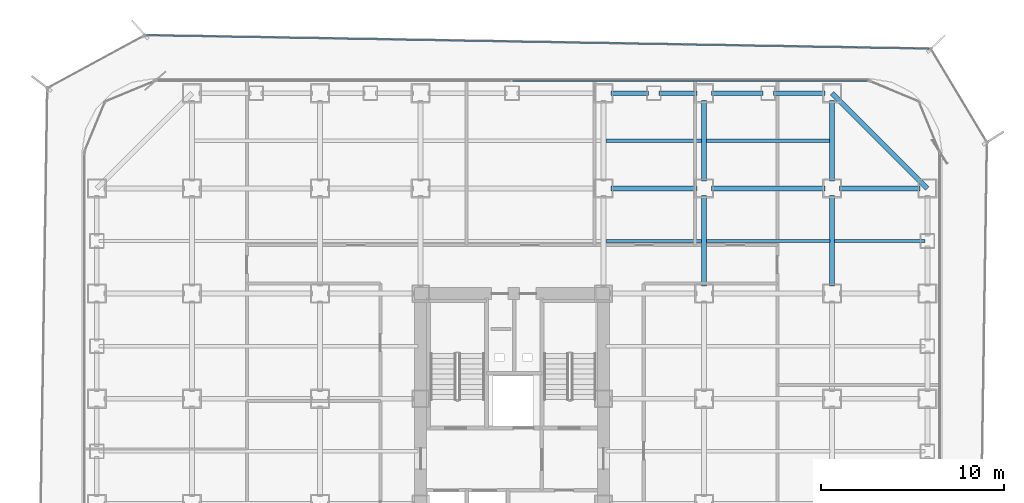
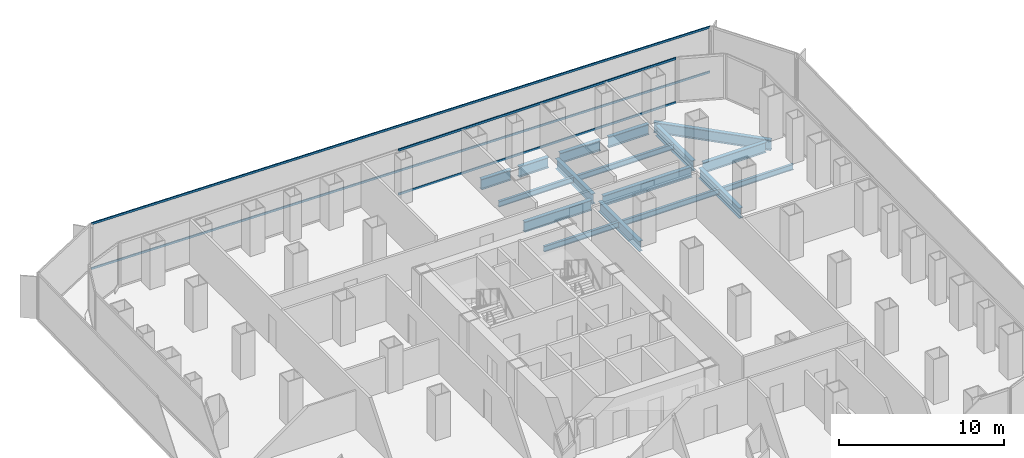
# One storey, part 14 of 22: 17 beams, 4 members, 2 elements without a shape of their own.
"""IFC4 building model written with IfcOpenShell, lengths in metres."""

import ifcopenshell
import ifcopenshell.guid

model = None  # the IFC model being written
_history = None  # IfcOwnerHistory: only IFC2X3 demands one
_inside = {}  # id of a spatial element -> (the spatial element, [elements in it])
_under = {}  # id of a project, library or spatial element -> (it, [spatial elements below it])
_declared = {}  # id of a project -> (the project, [libraries it declares])
_typed = {}  # id of a type object -> (the type object, [elements of that type])
_made_of = {}  # id of a material, layer set ... -> (it, [elements and type objects made of it])


def new_model(schema):
    """Start an empty IFC model of exactly this schema.

    Asked for "IFC4X3", IfcOpenShell would pick the latest addendum, in which some entities
    have other attributes; the version numbers below select the first issue.
    IFC2X3 requires an IfcOwnerHistory on every rooted entity: one is made here for all.
    """
    global model, _history
    if schema == "IFC4X3":
        model = ifcopenshell.file(schema_version=(4, 3, 0, 0))
    else:
        model = ifcopenshell.file(schema=schema)
    _inside.clear()
    _under.clear()
    _declared.clear()
    _typed.clear()
    _made_of.clear()
    _history = None
    if model.schema == "IFC2X3":
        org = make("IfcOrganization", Name="unknown")
        user = make(
            "IfcPersonAndOrganization",
            ThePerson=make("IfcPerson", FamilyName="unknown"),
            TheOrganization=org,
        )
        app = make(
            "IfcApplication",
            ApplicationDeveloper=org,
            Version="unknown",
            ApplicationFullName="unknown",
            ApplicationIdentifier="unknown",
        )
        _history = make(
            "IfcOwnerHistory",
            OwningUser=user,
            OwningApplication=app,
            ChangeAction="ADDED",
            CreationDate=0,
        )
    return model


def make(cls, **values):
    """One entity of the class cls with the attributes given. An attribute that is None is left unset."""
    return model.create_entity(
        cls, **{name: value for name, value in values.items() if value is not None}
    )


def rooted(cls, **values):
    """An entity with a GlobalId (a new one), such as an element, a storey or a relation."""
    return make(cls, GlobalId=ifcopenshell.guid.new(), OwnerHistory=_history, **values)


def si_unit(unit_type, name, prefix=None):
    """IfcSIUnit, for example si_unit("LENGTHUNIT", "METRE", prefix="MILLI")."""
    return make("IfcSIUnit", UnitType=unit_type, Prefix=prefix, Name=name)


def assignment(units):
    """IfcUnitAssignment: the units of a project."""
    return None if units is None else make("IfcUnitAssignment", Units=units)


def point(xyz):
    """IfcCartesianPoint."""
    return None if xyz is None else make("IfcCartesianPoint", Coordinates=xyz)


def direction(xyz):
    """IfcDirection."""
    return None if xyz is None else make("IfcDirection", DirectionRatios=xyz)


def frame(location, z_axis=None, x_axis=None):
    """IfcAxis2Placement3D, a coordinate frame: its origin and axes. An axis left out is left unset."""
    return make(
        "IfcAxis2Placement3D",
        Location=point(location),
        Axis=direction(z_axis),
        RefDirection=direction(x_axis),
    )


def frame_2d(location, x_axis=None):
    """IfcAxis2Placement2D, a coordinate frame in the plane: its origin and x axis."""
    return make(
        "IfcAxis2Placement2D", Location=point(location), RefDirection=direction(x_axis)
    )


def origin():
    """The frame at (0, 0, 0) with its axes left unset."""
    return frame((0.0, 0.0, 0.0))


def origin_2d():
    """The frame at (0, 0) in the plane with its x axis left unset."""
    return frame_2d((0.0, 0.0))


def place(relative_to, where):
    """IfcLocalPlacement: puts the frame where relative to a parent placement (None: the world)."""
    return make(
        "IfcLocalPlacement", PlacementRelTo=relative_to, RelativePlacement=where
    )


def context(
    kind, dimensions, precision=None, world=None, true_north=None, identifier=None
):
    """IfcGeometricRepresentationContext, for example the 3D "Model" context."""
    return make(
        "IfcGeometricRepresentationContext",
        ContextIdentifier=identifier,
        ContextType=kind,
        CoordinateSpaceDimension=dimensions,
        Precision=precision,
        WorldCoordinateSystem=world,
        TrueNorth=true_north,
    )


def subcontext(parent, identifier, kind, view, scale=None):
    """IfcGeometricRepresentationSubContext, for example "Body" below "Model"."""
    return make(
        "IfcGeometricRepresentationSubContext",
        ContextIdentifier=identifier,
        ContextType=kind,
        ParentContext=parent,
        TargetScale=scale,
        TargetView=view,
    )


def project(units=None, contexts=None):
    """IfcProject with its units and contexts."""
    return rooted(
        "IfcProject",
        Name="project",
        RepresentationContexts=contexts,
        UnitsInContext=assignment(units),
    )


def spatial(cls, under=None, at=None, **own):
    """A site, building, storey or space (cls), placed at a placement, below another one or the project."""
    s = rooted(cls, ObjectPlacement=at, **own)
    if under is not None:
        _under.setdefault(under.id(), (under, []))[1].append(s)
    return s


def profile(cls, at=None, kind="AREA", **sizes):
    """A parametric profile (cls). Its sizes go by their IFC names, for example OverallWidth=200.0."""
    return make(cls, ProfileType=kind, Position=at, **sizes)


def hollow_rectangle(**sizes):
    """IfcRectangleHollowProfileDef."""
    return profile("IfcRectangleHollowProfileDef", **sizes)


def i_section(**sizes):
    """IfcIShapeProfileDef."""
    return profile("IfcIShapeProfileDef", **sizes)


def extrude(swept, where, along, depth):
    """IfcExtrudedAreaSolid: the profile swept, set in the frame where, extruded along a direction by depth."""
    return make(
        "IfcExtrudedAreaSolid",
        SweptArea=swept,
        Position=where,
        ExtrudedDirection=direction(along),
        Depth=depth,
    )


def shape(context_of_items, identifier, shape_type, items):
    """IfcShapeRepresentation: the items that make up one representation, for example the "Body"."""
    return make(
        "IfcShapeRepresentation",
        ContextOfItems=context_of_items,
        RepresentationIdentifier=identifier,
        RepresentationType=shape_type,
        Items=items,
    )


def source(mapping_origin, context_of_items, identifier, shape_type, items):
    """IfcRepresentationMap: a shape defined once, which mapped items show again and again."""
    return make(
        "IfcRepresentationMap",
        MappingOrigin=mapping_origin,
        MappedRepresentation=shape(context_of_items, identifier, shape_type, items),
    )


def transform(
    local_origin,
    x_axis=None,
    y_axis=None,
    z_axis=None,
    scale=None,
    scale2=None,
    scale3=None,
    uniform=True,
):
    """IfcCartesianTransformationOperator3D, or its non-uniform kind. x_axis, y_axis, z_axis: its Axis1, 2, 3."""
    if uniform:
        return make(
            "IfcCartesianTransformationOperator3D",
            Axis1=direction(x_axis),
            Axis2=direction(y_axis),
            LocalOrigin=point(local_origin),
            Scale=scale,
            Axis3=direction(z_axis),
        )
    return make(
        "IfcCartesianTransformationOperator3DnonUniform",
        Axis1=direction(x_axis),
        Axis2=direction(y_axis),
        LocalOrigin=point(local_origin),
        Scale=scale,
        Axis3=direction(z_axis),
        Scale2=scale2,
        Scale3=scale3,
    )


def mapped(mapping_source, mapping_target):
    """IfcMappedItem: shows the shape of a source again, moved by a transform."""
    return make(
        "IfcMappedItem", MappingSource=mapping_source, MappingTarget=mapping_target
    )


def material(Name=None, Category=None):
    """IfcMaterial."""
    return make("IfcMaterial", Name=Name, Category=Category)


def layer(
    of_material, thickness, ventilated=None, Name=None, Category=None, Priority=None
):
    """IfcMaterialLayer: one layer of a wall or slab, of a material (None: an air gap)."""
    return make(
        "IfcMaterialLayer",
        Material=of_material,
        LayerThickness=thickness,
        IsVentilated=ventilated,
        Name=Name,
        Category=Category,
        Priority=Priority,
    )


def layer_set(layers, Name=None):
    """IfcMaterialLayerSet."""
    return make("IfcMaterialLayerSet", MaterialLayers=layers, LayerSetName=Name)


def material_profile(
    of_material, cross_section, Name=None, Category=None, Priority=None
):
    """IfcMaterialProfile: a cross section and its material."""
    return make(
        "IfcMaterialProfile",
        Name=Name,
        Material=of_material,
        Profile=cross_section,
        Priority=Priority,
        Category=Category,
    )


def profile_set(profiles, Name=None, composite=None):
    """IfcMaterialProfileSet."""
    return make(
        "IfcMaterialProfileSet",
        Name=Name,
        MaterialProfiles=profiles,
        CompositeProfile=composite,
    )


def made_of(thing, what):
    """Note that an element or type object is made of a material, layer set ...; save() writes the relation."""
    if what is not None:
        _made_of.setdefault(what.id(), (what, []))[1].append(thing)
    return thing


def type_object(cls, material=None, **own):
    """A type object (cls), such as IfcWallType, which elements share."""
    return made_of(rooted(cls, **own), material)


def element(
    cls,
    number,
    at=None,
    inside=None,
    cuts=None,
    type_object=None,
    material=None,
    context=None,
    identifier="Body",
    shape_type=None,
    held_by="IfcProductDefinitionShape",
    body=None,
    shapes=None,
    **own,
):
    """One element of the class cls, such as IfcWall. Its Tag is "e" and its number.

    at: its placement. inside: the storey or other place that contains it. cuts: it is an
    opening in that element (IfcRelVoidsElement). A single representation is given by context,
    identifier, shape_type and body (its items); several are given by shapes. held_by: the class
    of the entity that holds the representations. save() writes the other relations.
    """
    e = rooted(cls, Tag="e%d" % number, ObjectPlacement=at, **own)
    if body is not None:
        shapes = [shape(context, identifier, shape_type, body)]
    if shapes is not None:
        e.Representation = make(held_by, Representations=shapes)
    if inside is not None:
        _inside.setdefault(inside.id(), (inside, []))[1].append(e)
    if cuts is not None:
        rooted(
            "IfcRelVoidsElement", RelatingBuildingElement=cuts, RelatedOpeningElement=e
        )
    if type_object is not None:
        _typed.setdefault(type_object.id(), (type_object, []))[1].append(e)
    return made_of(e, material)


def aggregate(whole, parts):
    """IfcRelAggregates: a whole, such as a stair, and the parts it consists of."""
    return rooted("IfcRelAggregates", RelatingObject=whole, RelatedObjects=parts)


def save(model, path):
    """Write the relations noted so far, then the file.

    IfcRelAggregates (storeys below a building ...), IfcRelContainedInSpatialStructure (elements
    in a storey), IfcRelDefinesByType, IfcRelAssociatesMaterial and IfcRelDeclares: one each for
    every whole, place, type object, material and project.
    """
    for whole, parts in _under.values():
        aggregate(whole, parts)
    for where, things in _inside.values():
        rooted(
            "IfcRelContainedInSpatialStructure",
            RelatedElements=things,
            RelatingStructure=where,
        )
    for kind, things in _typed.values():
        rooted("IfcRelDefinesByType", RelatedObjects=things, RelatingType=kind)
    for what, things in _made_of.values():
        rooted("IfcRelAssociatesMaterial", RelatedObjects=things, RelatingMaterial=what)
    for by, libraries in _declared.values():
        rooted("IfcRelDeclares", RelatingContext=by, RelatedDefinitions=libraries)
    model.write(path)


model = new_model("IFC4")

# Units and contexts
model_context = context("Model", 3, precision=1e-05, world=origin(), true_north=direction((0.0, 1.0)))
body_context = subcontext(model_context, "Body", "Model", "MODEL_VIEW")
ifc_project = project(units=[si_unit("LENGTHUNIT", "METRE"), si_unit("AREAUNIT", "SQUARE_METRE"), si_unit("VOLUMEUNIT", "CUBIC_METRE"), si_unit("PLANEANGLEUNIT", "RADIAN"), si_unit("MASSUNIT", "GRAM", prefix="KILO")], contexts=[model_context])

# Site, building, storey
site_placement = place(None, origin())
site = spatial("IfcSite", under=ifc_project, at=site_placement, CompositionType="ELEMENT")
building_placement = place(site_placement, origin())
building = spatial("IfcBuilding", under=site, at=building_placement, Name="Kolveth Station Tower", CompositionType="ELEMENT")
storey_placement = place(building_placement, frame((0.0, 0.0, 54.89990234375)))
storey = spatial("IfcBuildingStorey", under=building, at=storey_placement, Name="L14", CompositionType="ELEMENT", Elevation=54.89990234375)

# Beams
ifc_material_1 = material(Name="Steel S355", Category="steel")
ifc_material_profile_1 = material_profile(ifc_material_1, i_section(OverallWidth=0.26904296875, OverallDepth=0.77490234375, WebThickness=0.01708984375, FlangeThickness=0.0283203125, at=origin_2d()), Name="W760x220")
ifc_profile_set_1 = profile_set([ifc_material_profile_1], Name="Steel S355")
beam_type_1 = type_object("IfcBeamType", Name="Beam_SP1", PredefinedType="SPANDREL", material=ifc_profile_set_1)
shared_shape_1 = source(origin(), body_context, "Body", "SweptSolid", [
    extrude(i_section(OverallWidth=0.26904296875, OverallDepth=0.77490234375, WebThickness=0.01708984375, FlangeThickness=0.0283203125, at=origin_2d()), origin(), (0.0, 0.0, 1.0), 7.353759765625),
])
beam_1_placement = place(storey_placement, frame((46.199951171875, 34.5, -0.66748046875), z_axis=(-0.707106781187, 0.707106781187, 0.0), x_axis=(-0.707106781187, -0.707106781187, 0.0)))
element("IfcBeam", 1, at=beam_1_placement, inside=storey, type_object=beam_type_1, Name="L14 Corner Edge Girder BM-L14-CNR-NE", PredefinedType="SPANDREL", context=body_context, shape_type="MappedRepresentation", body=[
    mapped(shared_shape_1, transform((0.0, 0.0, 0.0), x_axis=(1.0, 0.0, 0.0), y_axis=(0.0, 1.0, 0.0), z_axis=(0.0, 0.0, 1.0), scale=1.0)),
])
shared_shape_2 = source(origin(), body_context, "Body", "SweptSolid", [
    extrude(i_section(OverallWidth=0.26904296875, OverallDepth=0.77490234375, WebThickness=0.01708984375, FlangeThickness=0.0283203125, at=origin_2d()), origin(), (0.0, 0.0, 1.0), 2.820068359375),
])
for number, where, z_axis, x_axis, name in (
    (2, (34.39990234375, 39.699951171875, -0.66748046875), (1.0, 0.0, 0.0), (0.0, 1.0, 0.0), "L14 Perimeter Spandrel BM-L14-PN-9"),
    (3, (37.780029296875, 39.699951171875, -0.66748046875), (1.0, 0.0, 0.0), (0.0, 1.0, 0.0), "L14 Perimeter Spandrel BM-L14-PN-10"),
):
    element("IfcBeam", number, at=place(storey_placement, frame(where, z_axis=z_axis, x_axis=x_axis)), inside=storey, type_object=beam_type_1, Name=name, PredefinedType="SPANDREL", context=body_context, shape_type="MappedRepresentation", body=[
        mapped(shared_shape_2, transform((0.0, 0.0, 0.0), x_axis=(1.0, 0.0, 0.0), y_axis=(0.0, 1.0, 0.0), z_axis=(0.0, 0.0, 1.0), scale=1.0)),
    ])
shared_shape_3 = source(origin(), body_context, "Body", "SweptSolid", [
    extrude(i_section(OverallWidth=0.26904296875, OverallDepth=0.77490234375, WebThickness=0.01708984375, FlangeThickness=0.0283203125, at=origin_2d()), origin(), (0.0, 0.0, 1.0), 2.070068359375),
])
for number, where, z_axis, x_axis, name in (
    (4, (28.89990234375, 39.699951171875, -0.66748046875), (1.0, 0.0, 0.0), (0.0, 1.0, 0.0), "L14 Perimeter Spandrel BM-L14-PN-7"),
    (5, (31.530029296875, 39.699951171875, -0.66748046875), (1.0, 0.0, 0.0), (0.0, 1.0, 0.0), "L14 Perimeter Spandrel BM-L14-PN-8"),
):
    element("IfcBeam", number, at=place(storey_placement, frame(where, z_axis=z_axis, x_axis=x_axis)), inside=storey, type_object=beam_type_1, Name=name, PredefinedType="SPANDREL", context=body_context, shape_type="MappedRepresentation", body=[
        mapped(shared_shape_3, transform((0.0, 0.0, 0.0), x_axis=(1.0, 0.0, 0.0), y_axis=(0.0, 1.0, 0.0), z_axis=(0.0, 0.0, 1.0), scale=1.0)),
    ])
ifc_material_profile_2 = material_profile(ifc_material_1, i_section(OverallWidth=0.26708984375, OverallDepth=0.76611328125, WebThickness=0.014892578125, FlangeThickness=0.023681640625, at=origin_2d()), Name="W760x185")
ifc_profile_set_2 = profile_set([ifc_material_profile_2], Name="Steel S355")
beam_type_2 = type_object("IfcBeamType", Name="Beam_B3", PredefinedType="BEAM", material=ifc_profile_set_2)
shared_shape_4 = source(origin(), body_context, "Body", "SweptSolid", [
    extrude(i_section(OverallWidth=0.26708984375, OverallDepth=0.76611328125, WebThickness=0.014892578125, FlangeThickness=0.023681640625, at=origin_2d()), origin(), (0.0, 0.0, 1.0), 4.400146484375),
])
for number, where, z_axis, x_axis, name in (
    (6, (41.39990234375, 34.5, -0.662841796875), (1.0, 0.0, 0.0), (0.0, 1.0, 0.0), "L14 Primary Girder BM-L14-GY345-7"),
    (7, (34.0, 34.89990234375, -0.662841796875), (0.0, 1.0, 0.0), (-1.0, 0.0, 0.0), "L14 Primary Girder BM-L14-GX340-7"),
    (8, (41.0, 34.89990234375, -0.662841796875), (0.0, 1.0, 0.0), (-1.0, 0.0, 0.0), "L14 Primary Girder BM-L14-GX410-7"),
):
    element("IfcBeam", number, at=place(storey_placement, frame(where, z_axis=z_axis, x_axis=x_axis)), inside=storey, type_object=beam_type_2, Name=name, PredefinedType="BEAM", context=body_context, shape_type="MappedRepresentation", body=[
        mapped(shared_shape_4, transform((0.0, 0.0, 0.0), x_axis=(1.0, 0.0, 0.0), y_axis=(0.0, 1.0, 0.0), z_axis=(0.0, 0.0, 1.0), scale=1.0)),
    ])
shared_shape_5 = source(origin(), body_context, "Body", "SweptSolid", [
    extrude(i_section(OverallWidth=0.26708984375, OverallDepth=0.76611328125, WebThickness=0.014892578125, FlangeThickness=0.023681640625, at=origin_2d()), origin(), (0.0, 0.0, 1.0), 6.2001953125),
])
beam_2_placement = place(storey_placement, frame((34.39990234375, 34.5, -0.662841796875), z_axis=(1.0, 0.0, 0.0), x_axis=(0.0, 1.0, 0.0)))
element("IfcBeam", 9, at=beam_2_placement, inside=storey, type_object=beam_type_2, Name="L14 Primary Girder BM-L14-GY345-6", PredefinedType="BEAM", context=body_context, shape_type="MappedRepresentation", body=[
    mapped(shared_shape_5, transform((0.0, 0.0, 0.0), x_axis=(1.0, 0.0, 0.0), y_axis=(0.0, 1.0, 0.0), z_axis=(0.0, 0.0, 1.0), scale=1.0)),
])
shared_shape_6 = source(origin(), body_context, "Body", "SweptSolid", [
    extrude(i_section(OverallWidth=0.26708984375, OverallDepth=0.76611328125, WebThickness=0.014892578125, FlangeThickness=0.023681640625, at=origin_2d()), origin(), (0.0, 0.0, 1.0), 4.7001953125),
])
beam_3_placement = place(storey_placement, frame((28.89990234375, 34.5, -0.662841796875), z_axis=(1.0, 0.0, 0.0), x_axis=(0.0, 1.0, 0.0)))
element("IfcBeam", 10, at=beam_3_placement, inside=storey, type_object=beam_type_2, Name="L14 Primary Girder BM-L14-GY345-5", PredefinedType="BEAM", context=body_context, shape_type="MappedRepresentation", body=[
    mapped(shared_shape_6, transform((0.0, 0.0, 0.0), x_axis=(1.0, 0.0, 0.0), y_axis=(0.0, 1.0, 0.0), z_axis=(0.0, 0.0, 1.0), scale=1.0)),
])
shared_shape_7 = source(origin(), body_context, "Body", "SweptSolid", [
    extrude(i_section(OverallWidth=0.26708984375, OverallDepth=0.76611328125, WebThickness=0.014892578125, FlangeThickness=0.023681640625, at=origin_2d()), origin(), (0.0, 0.0, 1.0), 4.9501953125),
])
for number, where, z_axis, x_axis, name in (
    (11, (34.0, 29.14990234375, -0.662841796875), (0.0, 1.0, 0.0), (-1.0, 0.0, 0.0), "L14 Primary Girder BM-L14-GX340-6"),
    (12, (41.0, 29.14990234375, -0.662841796875), (0.0, 1.0, 0.0), (-1.0, 0.0, 0.0), "L14 Primary Girder BM-L14-GX410-6"),
):
    element("IfcBeam", number, at=place(storey_placement, frame(where, z_axis=z_axis, x_axis=x_axis)), inside=storey, type_object=beam_type_2, Name=name, PredefinedType="BEAM", context=body_context, shape_type="MappedRepresentation", body=[
        mapped(shared_shape_7, transform((0.0, 0.0, 0.0), x_axis=(1.0, 0.0, 0.0), y_axis=(0.0, 1.0, 0.0), z_axis=(0.0, 0.0, 1.0), scale=1.0)),
    ])
ifc_material_profile_3 = material_profile(ifc_material_1, i_section(OverallWidth=0.177978515625, OverallDepth=0.406982421875, WebThickness=0.0078125, FlangeThickness=0.0126953125, at=origin_2d()), Name="W410x60")
ifc_profile_set_3 = profile_set([ifc_material_profile_3], Name="Steel S355")
beam_type_3 = type_object("IfcBeamType", Name="Beam_J1", PredefinedType="JOIST", material=ifc_profile_set_3)
shared_shape_8 = source(origin(), body_context, "Body", "SweptSolid", [
    extrude(i_section(OverallWidth=0.177978515625, OverallDepth=0.406982421875, WebThickness=0.0078125, FlangeThickness=0.0126953125, at=origin_2d()), origin(), (0.0, 0.0, 1.0), 4.935791015625),
])
beam_4_placement = place(storey_placement, frame((41.131591796875, 31.625, -0.4833984375), z_axis=(1.0, 0.0, 0.0), x_axis=(0.0, 1.0, 0.0)))
element("IfcBeam", 13, at=beam_4_placement, inside=storey, type_object=beam_type_3, Name="L14 Secondary Joist JST-L14-7-6", PredefinedType="JOIST", context=body_context, shape_type="MappedRepresentation", body=[
    mapped(shared_shape_8, transform((0.0, 0.0, 0.0), x_axis=(1.0, 0.0, 0.0), y_axis=(0.0, 1.0, 0.0), z_axis=(0.0, 0.0, 1.0), scale=1.0)),
])
shared_shape_9 = source(origin(), body_context, "Body", "SweptSolid", [
    extrude(i_section(OverallWidth=0.177978515625, OverallDepth=0.406982421875, WebThickness=0.0078125, FlangeThickness=0.0126953125, at=origin_2d()), origin(), (0.0, 0.0, 1.0), 6.73681640625),
])
for number, where, z_axis, x_axis, name in (
    (14, (34.131591796875, 31.625, -0.4833984375), (1.0, 0.0, 0.0), (0.0, 1.0, 0.0), "L14 Secondary Joist JST-L14-6-6"),
    (15, (34.131591796875, 37.10009765625, -0.4833984375), (1.0, 0.0, 0.0), (0.0, 1.0, 0.0), "L14 Secondary Joist JST-L14-6-7"),
):
    element("IfcBeam", number, at=place(storey_placement, frame(where, z_axis=z_axis, x_axis=x_axis)), inside=storey, type_object=beam_type_3, Name=name, PredefinedType="JOIST", context=body_context, shape_type="MappedRepresentation", body=[
        mapped(shared_shape_9, transform((0.0, 0.0, 0.0), x_axis=(1.0, 0.0, 0.0), y_axis=(0.0, 1.0, 0.0), z_axis=(0.0, 0.0, 1.0), scale=1.0)),
    ])
shared_shape_10 = source(origin(), body_context, "Body", "SweptSolid", [
    extrude(i_section(OverallWidth=0.177978515625, OverallDepth=0.406982421875, WebThickness=0.0078125, FlangeThickness=0.0126953125, at=origin_2d()), origin(), (0.0, 0.0, 1.0), 5.23681640625),
])
for number, where, z_axis, x_axis, name in (
    (16, (28.631591796875, 31.625, -0.4833984375), (1.0, 0.0, 0.0), (0.0, 1.0, 0.0), "L14 Secondary Joist JST-L14-5-6"),
    (17, (28.631591796875, 37.10009765625, -0.4833984375), (1.0, 0.0, 0.0), (0.0, 1.0, 0.0), "L14 Secondary Joist JST-L14-5-7"),
):
    element("IfcBeam", number, at=place(storey_placement, frame(where, z_axis=z_axis, x_axis=x_axis)), inside=storey, type_object=beam_type_3, Name=name, PredefinedType="JOIST", context=body_context, shape_type="MappedRepresentation", body=[
        mapped(shared_shape_10, transform((0.0, 0.0, 0.0), x_axis=(1.0, 0.0, 0.0), y_axis=(0.0, 1.0, 0.0), z_axis=(0.0, 0.0, 1.0), scale=1.0)),
    ])

# Curtain wall, members
ifc_material_2 = material(Name="Aluminium 6063-T6 and low-E dark glass", Category="aluminium")
ifc_layer_1 = layer(ifc_material_2, 0.179931640625)
ifc_layer_set_1 = layer_set([ifc_layer_1], Name="Aluminium 6063-T6 and low-E dark glass")
curtain_wall_type_1 = type_object("IfcCurtainWallType", Name="CurtainWall_CW-Z1", PredefinedType="NOTDEFINED", material=ifc_layer_set_1)
curtain_wall_1_placement = place(storey_placement, origin())
curtain_wall_1 = element("IfcCurtainWall", 18, at=curtain_wall_1_placement, inside=storey, type_object=curtain_wall_type_1, Name="L14 Inner Thermal Curtain Wall 6", PredefinedType="NOTDEFINED")
ifc_material_3 = material(Name="Black anodized aluminium 6063-T6", Category="aluminium")
ifc_material_profile_4 = material_profile(ifc_material_3, hollow_rectangle(XDim=0.074951171875, YDim=0.159912109375, WallThickness=0.0048828125, at=origin_2d()), Name="ALU-75x160x5")
ifc_profile_set_4 = profile_set([ifc_material_profile_4], Name="Black anodized aluminium 6063-T6")
member_type_1 = type_object("IfcMemberType", Name="Transom_TR1", PredefinedType="USERDEFINED", material=ifc_profile_set_4)
shared_shape_11 = source(origin(), body_context, "Body", "SweptSolid", [
    extrude(hollow_rectangle(XDim=0.074951171875, YDim=0.159912109375, WallThickness=0.0048828125, at=origin_2d()), origin(), (0.0, 0.0, 1.0), 19.387451171875),
])
member_1_placement = place(storey_placement, frame((42.925048828125, 40.3798828125, 0.03759765625), z_axis=(-1.0, 0.0, 0.0), x_axis=(0.0, -1.0, 0.0)))
member_1 = element("IfcMember", 19, at=member_1_placement, type_object=member_type_1, Name="CW-Z1 transom 1.1", ObjectType="TRANSOM", PredefinedType="USERDEFINED", context=body_context, shape_type="MappedRepresentation", body=[
    mapped(shared_shape_11, transform((0.0, 0.0, 0.0), x_axis=(1.0, 0.0, 0.0), y_axis=(0.0, 1.0, 0.0), z_axis=(0.0, 0.0, 1.0), scale=1.0)),
])
member_2_placement = place(storey_placement, frame((42.925048828125, 40.3798828125, 3.28271484375), z_axis=(-1.0, 0.0, 0.0), x_axis=(0.0, -1.0, 0.0)))
member_2 = element("IfcMember", 20, at=member_2_placement, type_object=member_type_1, Name="CW-Z1 transom 1.2", ObjectType="TRANSOM", PredefinedType="USERDEFINED", context=body_context, shape_type="MappedRepresentation", body=[
    mapped(shared_shape_11, transform((0.0, 0.0, 0.0), x_axis=(1.0, 0.0, 0.0), y_axis=(0.0, 1.0, 0.0), z_axis=(0.0, 0.0, 1.0), scale=1.0)),
])
aggregate(curtain_wall_1, [member_1, member_2])

ifc_material_4 = material(Name="Black anodized aluminium 6063-T6 and dark solar glass", Category="aluminium")
ifc_layer_2 = layer(ifc_material_4, 0.159912109375)
ifc_layer_set_2 = layer_set([ifc_layer_2], Name="Black anodized aluminium 6063-T6 and dark solar glass")
curtain_wall_type_2 = type_object("IfcCurtainWallType", Name="OUTER SKIN CW-OS", PredefinedType="NOTDEFINED", material=ifc_layer_set_2)
curtain_wall_2_placement = place(storey_placement, origin())
curtain_wall_2 = element("IfcCurtainWall", 21, at=curtain_wall_2_placement, inside=storey, type_object=curtain_wall_type_2, Name="L14 Outer Ventilated Skin Curtain Wall 4", PredefinedType="NOTDEFINED")
ifc_material_profile_5 = material_profile(ifc_material_3, hollow_rectangle(XDim=0.080078125, YDim=0.14990234375, WallThickness=0.0048828125, at=origin_2d()), Name="ALU-80x150x5")
ifc_profile_set_5 = profile_set([ifc_material_profile_5], Name="Black anodized aluminium 6063-T6")
member_type_2 = type_object("IfcMemberType", Name="Transom_TR-OS", PredefinedType="USERDEFINED", material=ifc_profile_set_5)
shared_shape_12 = source(origin(), body_context, "Body", "SweptSolid", [
    extrude(hollow_rectangle(XDim=0.080078125, YDim=0.14990234375, WallThickness=0.0048828125, at=origin_2d()), origin(), (0.0, 0.0, 1.0), 42.788818359375),
])
member_3_placement = place(storey_placement, frame((46.30615234375, 42.13134765625, 0.0400390625), z_axis=(-0.999851825841, 0.017214132624, 0.0), x_axis=(-0.017214132624, -0.999851825841, 0.0)))
member_3 = element("IfcMember", 22, at=member_3_placement, type_object=member_type_2, Name="CW-OS transom 1.1", ObjectType="TRANSOM", PredefinedType="USERDEFINED", context=body_context, shape_type="MappedRepresentation", body=[
    mapped(shared_shape_12, transform((0.0, 0.0, 0.0), x_axis=(1.0, 0.0, 0.0), y_axis=(0.0, 1.0, 0.0), z_axis=(0.0, 0.0, 1.0), scale=1.0)),
])
member_4_placement = place(storey_placement, frame((46.30615234375, 42.13134765625, 3.35009765625), z_axis=(-0.999851825841, 0.017214132624, 0.0), x_axis=(-0.017214132624, -0.999851825841, 0.0)))
member_4 = element("IfcMember", 23, at=member_4_placement, type_object=member_type_2, Name="CW-OS transom 1.2", ObjectType="TRANSOM", PredefinedType="USERDEFINED", context=body_context, shape_type="MappedRepresentation", body=[
    mapped(shared_shape_12, transform((0.0, 0.0, 0.0), x_axis=(1.0, 0.0, 0.0), y_axis=(0.0, 1.0, 0.0), z_axis=(0.0, 0.0, 1.0), scale=1.0)),
])
aggregate(curtain_wall_2, [member_3, member_4])

save(model, "model.ifc")
